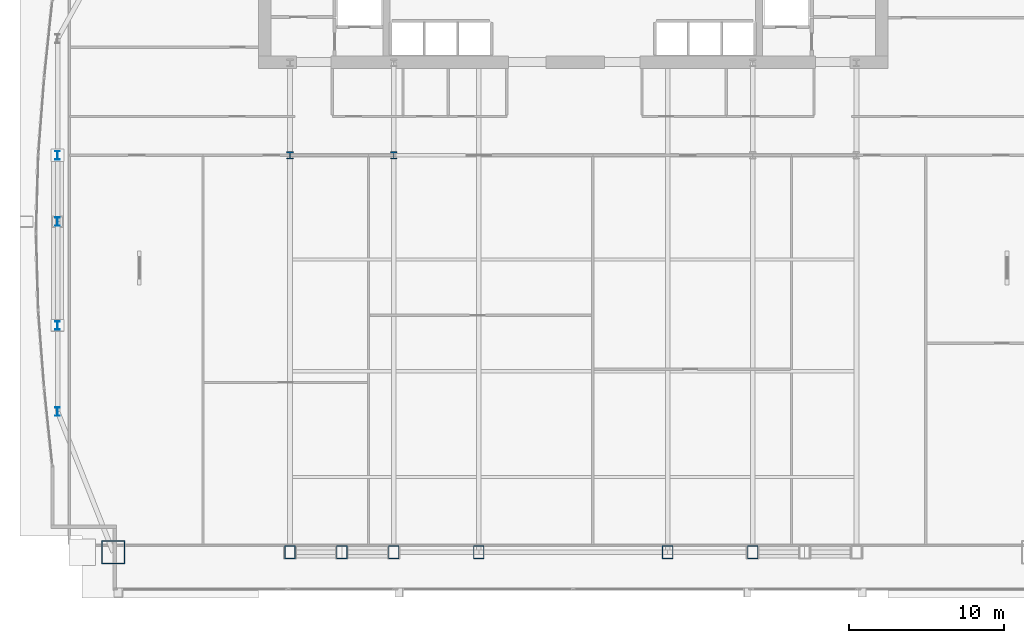
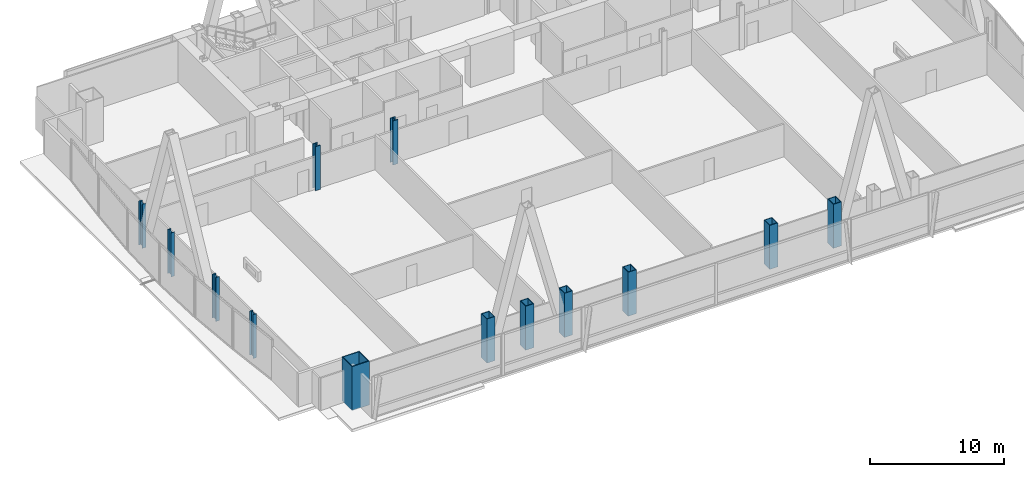
# One storey, part 1 of 32: 13 columns.
"""IFC4 building model written with IfcOpenShell, lengths in metres."""

from ifc_helpers import new_model, si_unit, direction, frame, origin, origin_2d, place, context, subcontext, project, spatial, hollow_rectangle, i_section, extrude, material, material_profile, profile_set, type_object, element, save


model = new_model("IFC4")

# Units and contexts
model_context = context("Model", 3, precision=1e-05, world=origin(), true_north=direction((0.0, 1.0)))
body_context = subcontext(model_context, "Body", "Model", "MODEL_VIEW")
ifc_project = project(units=[si_unit("LENGTHUNIT", "METRE"), si_unit("AREAUNIT", "SQUARE_METRE"), si_unit("VOLUMEUNIT", "CUBIC_METRE"), si_unit("PLANEANGLEUNIT", "RADIAN"), si_unit("MASSUNIT", "GRAM", prefix="KILO")], contexts=[model_context])

# Site, building, storey
site_placement = place(None, origin())
site = spatial("IfcSite", under=ifc_project, at=site_placement, CompositionType="ELEMENT")
building_placement = place(site_placement, origin())
building = spatial("IfcBuilding", under=site, at=building_placement, Name="Khoronbel Lancet Exchange", CompositionType="ELEMENT")
storey_placement = place(building_placement, frame((0.0, 0.0, 81.800048828125)))
storey = spatial("IfcBuildingStorey", under=building, at=storey_placement, Name="L19", CompositionType="ELEMENT", Elevation=81.800048828125)

# Columns
ifc_material_1 = material(Name="Steel S460", Category="steel")
ifc_material_profile_1 = material_profile(ifc_material_1, hollow_rectangle(XDim=0.699951171875, YDim=0.85009765625, WallThickness=0.050048828125, at=origin_2d()), Name="BOX 850x700x50")
ifc_profile_set_1 = profile_set([ifc_material_profile_1], Name="Steel S460")
column_type_1 = type_object("IfcColumnType", Name="COL-EC2", PredefinedType="COLUMN", material=ifc_profile_set_1)
for number, where, z_axis, x_axis, name in (
    (1, (18.22509765625, 10.14990234375, 0.0), (0.0, 0.0, 1.0), (1.0, 0.0, 0.0), "Structural column SC-W1 L19"),
    (2, (21.5625, 10.14990234375, 0.0), (0.0, 0.0, 1.0), (1.0, 0.0, 0.0), "Structural column SC-WM L19"),
    (3, (24.89990234375, 10.14990234375, 0.0), (0.0, 0.0, 1.0), (1.0, 0.0, 0.0), "Structural column SC-W2 L19"),
    (4, (30.375, 10.14990234375, 0.0), (0.0, 0.0, 1.0), (1.0, 0.0, 0.0), "Structural column SC-C1 L19"),
    (5, (42.52490234375, 10.14990234375, 0.0), (0.0, 0.0, 1.0), (1.0, 0.0, 0.0), "Structural column SC-C2 L19"),
    (6, (48.0, 10.14990234375, 0.0), (0.0, 0.0, 1.0), (1.0, 0.0, 0.0), "Structural column SC-E1 L19"),
):
    element("IfcColumn", number, at=place(storey_placement, frame(where, z_axis=z_axis, x_axis=x_axis)), inside=storey, type_object=column_type_1, Name=name, PredefinedType="COLUMN", context=body_context, shape_type="SweptSolid", body=[
        extrude(hollow_rectangle(XDim=0.699951171875, YDim=0.85009765625, WallThickness=0.050048828125, at=origin_2d()), origin(), (0.0, 0.0, 1.0), 4.0),
    ])
ifc_material_profile_2 = material_profile(ifc_material_1, i_section(OverallWidth=0.424072265625, OverallDepth=0.47412109375, WebThickness=0.047607421875, FlangeThickness=0.076904296875, at=origin_2d()), Name="HD 400x634")
ifc_profile_set_2 = profile_set([ifc_material_profile_2], Name="Steel S460")
column_type_2 = type_object("IfcColumnType", Name="COL-IC1", PredefinedType="COLUMN", material=ifc_profile_set_2)
for number, where, z_axis, x_axis, name in (
    (7, (18.22509765625, 35.699951171875, 0.0), (0.0, 0.0, 1.0), (1.0, 0.0, 0.0), "Spine gravity column TC1 L19"),
    (8, (24.89990234375, 35.699951171875, 0.0), (0.0, 0.0, 1.0), (1.0, 0.0, 0.0), "Spine gravity column TC2 L19"),
):
    element("IfcColumn", number, at=place(storey_placement, frame(where, z_axis=z_axis, x_axis=x_axis)), inside=storey, type_object=column_type_2, Name=name, PredefinedType="COLUMN", context=body_context, shape_type="SweptSolid", body=[
        extrude(i_section(OverallWidth=0.424072265625, OverallDepth=0.47412109375, WebThickness=0.047607421875, FlangeThickness=0.076904296875, at=origin_2d()), origin(), (0.0, 0.0, 1.0), 4.0),
    ])
ifc_material_2 = material(Name="Steel S355", Category="steel")
ifc_material_profile_3 = material_profile(ifc_material_2, i_section(OverallWidth=0.300048828125, OverallDepth=0.550048828125, WebThickness=0.014892578125, FlangeThickness=0.029052734375, at=origin_2d()), Name="HEB 550")
ifc_profile_set_3 = profile_set([ifc_material_profile_3], Name="Steel S355")
column_type_3 = type_object("IfcColumnType", Name="COL-LC1", PredefinedType="COLUMN", material=ifc_profile_set_3)
for number, where, z_axis, x_axis, name in (
    (9, (3.27001953125, 19.199951171875, 0.0), (0.0, 0.0, 1.0), (1.0, 0.0, 0.0), "Structural column WC-1 L19"),
    (10, (3.27001953125, 24.75, 0.0), (0.0, 0.0, 1.0), (1.0, 0.0, 0.0), "Structural column WC-2 L19"),
    (11, (3.27001953125, 31.425048828125, 0.0), (0.0, 0.0, 1.0), (1.0, 0.0, 0.0), "Structural column WC-M L19"),
    (12, (3.27001953125, 35.699951171875, 0.0), (0.0, 0.0, 1.0), (1.0, 0.0, 0.0), "Structural column WC-3 L19"),
):
    element("IfcColumn", number, at=place(storey_placement, frame(where, z_axis=z_axis, x_axis=x_axis)), inside=storey, type_object=column_type_3, Name=name, PredefinedType="COLUMN", context=body_context, shape_type="SweptSolid", body=[
        extrude(i_section(OverallWidth=0.300048828125, OverallDepth=0.550048828125, WebThickness=0.014892578125, FlangeThickness=0.029052734375, at=origin_2d()), origin(), (0.0, 0.0, 1.0), 4.0),
    ])
ifc_material_profile_4 = material_profile(ifc_material_1, hollow_rectangle(XDim=1.5, YDim=1.5, WallThickness=0.070068359375, at=origin_2d()), Name="BOX 1500x1500x70")
ifc_profile_set_4 = profile_set([ifc_material_profile_4], Name="Steel S460")
column_type_4 = type_object("IfcColumnType", Name="COL-MC3", PredefinedType="COLUMN", material=ifc_profile_set_4)
column_placement = place(storey_placement, frame((6.85009765625, 10.14990234375, 0.0), z_axis=(0.0, 0.0, 1.0), x_axis=(1.0, 0.0, 0.0)))
element("IfcColumn", 13, at=column_placement, inside=storey, type_object=column_type_4, Name="Structural column MC-SW L19", PredefinedType="COLUMN", context=body_context, shape_type="SweptSolid", body=[
    extrude(hollow_rectangle(XDim=1.5, YDim=1.5, WallThickness=0.070068359375, at=origin_2d()), origin(), (0.0, 0.0, 1.0), 4.0),
])

save(model, "model.ifc")
